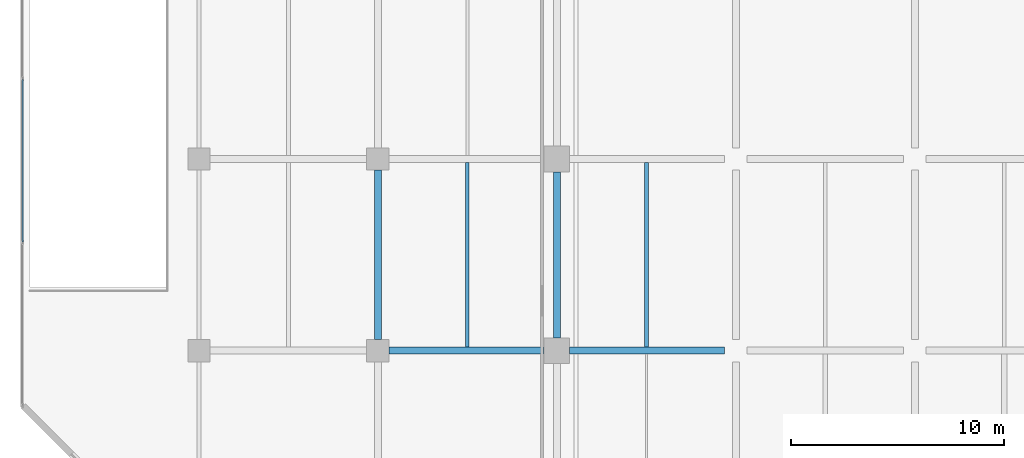
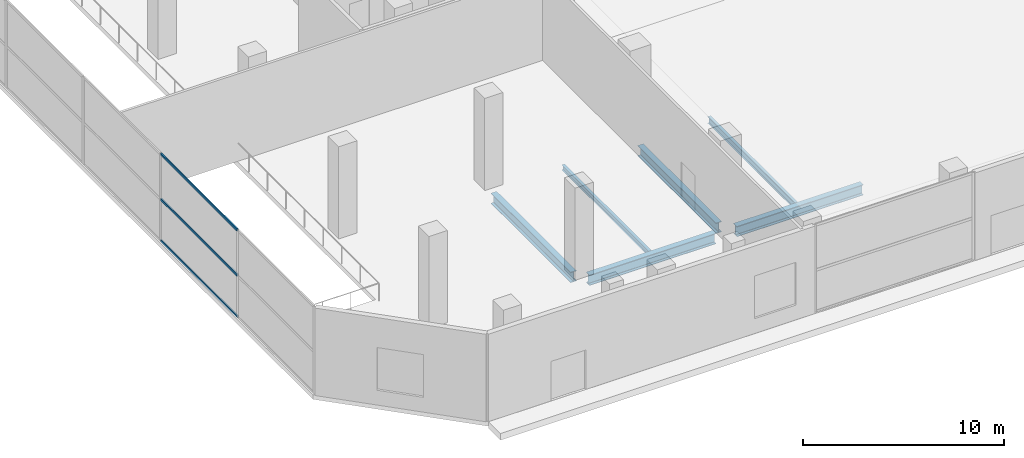
# One storey, part 9 of 35: 6 beams, 3 members, 1 element without a shape of its own.
"""IFC4 building model written with IfcOpenShell, lengths in metres."""

from ifc_helpers import new_model, si_unit, direction, frame, origin, origin_2d, place, context, subcontext, project, spatial, hollow_rectangle, i_section, extrude, material, layer, layer_set, material_profile, profile_set, type_object, element, aggregate, save


model = new_model("IFC4")

# Units and contexts
model_context = context("Model", 3, precision=1e-05, world=origin(), true_north=direction((0.0, 1.0)))
body_context = subcontext(model_context, "Body", "Model", "MODEL_VIEW")
ifc_project = project(units=[si_unit("LENGTHUNIT", "METRE"), si_unit("AREAUNIT", "SQUARE_METRE"), si_unit("VOLUMEUNIT", "CUBIC_METRE"), si_unit("PLANEANGLEUNIT", "RADIAN"), si_unit("MASSUNIT", "GRAM", prefix="KILO")], contexts=[model_context])

# Site, building, storey
site_placement = place(None, origin())
site = spatial("IfcSite", under=ifc_project, at=site_placement, CompositionType="ELEMENT")
building_placement = place(site_placement, origin())
building = spatial("IfcBuilding", under=site, at=building_placement, Name="Maruvema Waterfront Hotel and Observation Tower", CompositionType="ELEMENT")
storey_placement = place(building_placement, origin())
storey = spatial("IfcBuildingStorey", under=building, at=storey_placement, Name="L00", CompositionType="ELEMENT", Elevation=0.0)

# Curtain wall, members
ifc_material_1 = material(Name="Anodised bronze aluminium and solar-control low-E IGU", Category="aluminium")
ifc_layer = layer(ifc_material_1, 0.159912109375, Name="Podium Waterfront Storefront Curtain Wall System CW-01")
ifc_layer_set = layer_set([ifc_layer], Name="Anodised bronze aluminium and solar-control low-E IGU")
curtain_wall_type = type_object("IfcCurtainWallType", Name="Podium Waterfront Storefront Curtain Wall System CW-01", PredefinedType="USERDEFINED", material=ifc_layer_set)
curtain_wall_placement = place(storey_placement, origin())
curtain_wall = element("IfcCurtainWall", 1, at=curtain_wall_placement, inside=storey, type_object=curtain_wall_type, Name="L00 Curtain Wall CW-L00-W", ObjectType="UNITISED CURTAIN WALL", PredefinedType="USERDEFINED")
ifc_material_2 = material(Name="Anodised architectural bronze aluminium", Category="aluminium")
ifc_material_profile_1 = material_profile(ifc_material_2, hollow_rectangle(XDim=0.070068359375, YDim=0.14990234375, WallThickness=0.00390625, at=origin_2d()), Name="ALU-T70x150")
ifc_profile_set_1 = profile_set([ifc_material_profile_1], Name="Anodised architectural bronze aluminium")
member_type = type_object("IfcMemberType", Name="Curtain Wall Horizontal Transom ALU-T70x150", PredefinedType="USERDEFINED", material=ifc_profile_set_1)
member_1_placement = place(storey_placement, frame((0.1201171875, 21.736572265625, 0.030029296875), z_axis=(0.0, -1.0, 0.0), x_axis=(1.0, 0.0, 0.0)))
member_1 = element("IfcMember", 2, at=member_1_placement, type_object=member_type, Name="CW-01 transom 5.1", ObjectType="TRANSOM", PredefinedType="USERDEFINED", context=body_context, shape_type="SweptSolid", body=[
    extrude(hollow_rectangle(XDim=0.070068359375, YDim=0.14990234375, WallThickness=0.00390625, at=origin_2d()), origin(), (0.0, 0.0, 1.0), 7.623291015625),
])
member_2_placement = place(storey_placement, frame((0.1201171875, 21.736572265625, 2.550048828125), z_axis=(0.0, -1.0, 0.0), x_axis=(1.0, 0.0, 0.0)))
member_2 = element("IfcMember", 3, at=member_2_placement, type_object=member_type, Name="CW-01 transom 5.2", ObjectType="TRANSOM", PredefinedType="USERDEFINED", context=body_context, shape_type="SweptSolid", body=[
    extrude(hollow_rectangle(XDim=0.070068359375, YDim=0.14990234375, WallThickness=0.00390625, at=origin_2d()), origin(), (0.0, 0.0, 1.0), 7.623291015625),
])
member_3_placement = place(storey_placement, frame((0.1201171875, 21.736572265625, 5.2900390625), z_axis=(0.0, -1.0, 0.0), x_axis=(1.0, 0.0, 0.0)))
member_3 = element("IfcMember", 4, at=member_3_placement, type_object=member_type, Name="CW-01 transom 5.3", ObjectType="TRANSOM", PredefinedType="USERDEFINED", context=body_context, shape_type="SweptSolid", body=[
    extrude(hollow_rectangle(XDim=0.070068359375, YDim=0.14990234375, WallThickness=0.00390625, at=origin_2d()), origin(), (0.0, 0.0, 1.0), 7.623291015625),
])
aggregate(curtain_wall, [member_1, member_2, member_3])

# Beams
ifc_material_3 = material(Name="Steel ASTM A572 Grade 50", Category="steel")
ifc_material_profile_2 = material_profile(ifc_material_3, i_section(OverallWidth=0.3291015625, OverallDepth=0.635009765625, WebThickness=0.017822265625, FlangeThickness=0.031005859375, FilletRadius=0.01806640625, at=origin_2d()), Name="W610x241.0")
ifc_profile_set_2 = profile_set([ifc_material_profile_2], Name="Steel ASTM A572 Grade 50")
beam_type_1 = type_object("IfcBeamType", Name="Primary Floor Girder W610x241.0", PredefinedType="BEAM", material=ifc_profile_set_2)
beam_1_placement = place(storey_placement, frame((17.324951171875, 9.0, -0.597412109375), z_axis=(1.0, 0.0, 0.0), x_axis=(0.0, 1.0, 0.0)))
element("IfcBeam", 5, at=beam_1_placement, inside=storey, type_object=beam_type_1, Name="L00 Floor Girder EW-11", PredefinedType="BEAM", context=body_context, shape_type="SweptSolid", body=[
    extrude(i_section(OverallWidth=0.3291015625, OverallDepth=0.635009765625, WebThickness=0.017822265625, FlangeThickness=0.031005859375, FilletRadius=0.01806640625, at=origin_2d()), origin(), (0.0, 0.0, 1.0), 7.275146484375),
])
beam_2_placement = place(storey_placement, frame((25.800048828125, 9.0, -0.597412109375), z_axis=(1.0, 0.0, 0.0), x_axis=(0.0, 1.0, 0.0)))
element("IfcBeam", 6, at=beam_2_placement, inside=storey, type_object=beam_type_1, Name="L00 Floor Girder EW-12", PredefinedType="BEAM", context=body_context, shape_type="SweptSolid", body=[
    extrude(i_section(OverallWidth=0.3291015625, OverallDepth=0.635009765625, WebThickness=0.017822265625, FlangeThickness=0.031005859375, FilletRadius=0.01806640625, at=origin_2d()), origin(), (0.0, 0.0, 1.0), 7.27490234375),
])
beam_3_placement = place(storey_placement, frame((16.800048828125, 9.52490234375, -0.597412109375), z_axis=(0.0, 1.0, 0.0), x_axis=(-1.0, 0.0, 0.0)))
element("IfcBeam", 7, at=beam_3_placement, inside=storey, type_object=beam_type_1, Name="L00 Floor Girder NS-08", PredefinedType="BEAM", context=body_context, shape_type="SweptSolid", body=[
    extrude(i_section(OverallWidth=0.3291015625, OverallDepth=0.635009765625, WebThickness=0.017822265625, FlangeThickness=0.031005859375, FilletRadius=0.01806640625, at=origin_2d()), origin(), (0.0, 0.0, 1.0), 7.9501953125),
])
beam_4_placement = place(storey_placement, frame((25.199951171875, 9.60009765625, -0.597412109375), z_axis=(0.0, 1.0, 0.0), x_axis=(-1.0, 0.0, 0.0)))
element("IfcBeam", 8, at=beam_4_placement, inside=storey, type_object=beam_type_1, Name="L00 Floor Girder NS-14", PredefinedType="BEAM", context=body_context, shape_type="SweptSolid", body=[
    extrude(i_section(OverallWidth=0.3291015625, OverallDepth=0.635009765625, WebThickness=0.017822265625, FlangeThickness=0.031005859375, FilletRadius=0.01806640625, at=origin_2d()), origin(), (0.0, 0.0, 1.0), 7.7998046875),
])
ifc_material_4 = material(Name="Steel ASTM A572 Grade 50", Category="steel")
ifc_material_profile_3 = material_profile(ifc_material_4, i_section(OverallWidth=0.1650390625, OverallDepth=0.31005859375, WebThickness=0.005859375, FlangeThickness=0.009765625, FilletRadius=0.012939453125, at=origin_2d()), Name="W310x38.7")
ifc_profile_set_3 = profile_set([ifc_material_profile_3], Name="Steel ASTM A572 Grade 50")
beam_type_2 = type_object("IfcBeamType", Name="Secondary Floor Joist W310x38.7", PredefinedType="JOIST", material=ifc_profile_set_3)
beam_5_placement = place(storey_placement, frame((21.0, 9.16455078125, -0.43505859375), z_axis=(0.0, 1.0, 0.0), x_axis=(-1.0, 0.0, 0.0)))
element("IfcBeam", 9, at=beam_5_placement, inside=storey, type_object=beam_type_2, Name="L00 Secondary Floor Joist JS-05", PredefinedType="JOIST", context=body_context, shape_type="SweptSolid", body=[
    extrude(i_section(OverallWidth=0.1650390625, OverallDepth=0.31005859375, WebThickness=0.005859375, FlangeThickness=0.009765625, FilletRadius=0.012939453125, at=origin_2d()), origin(), (0.0, 0.0, 1.0), 8.6708984375),
])
ifc_material_5 = material(Name="Steel ASTM A572 Grade 50", Category="steel")
ifc_material_profile_4 = material_profile(ifc_material_5, i_section(OverallWidth=0.177001953125, OverallDepth=0.403076171875, WebThickness=0.007568359375, FlangeThickness=0.010986328125, FilletRadius=0.014892578125, at=origin_2d()), Name="W410x53.0")
ifc_profile_set_4 = profile_set([ifc_material_profile_4], Name="Steel ASTM A572 Grade 50")
beam_type_3 = type_object("IfcBeamType", Name="Secondary Floor Joist W410x53.0", PredefinedType="JOIST", material=ifc_profile_set_4)
beam_6_placement = place(storey_placement, frame((29.39990234375, 9.16455078125, -0.4814453125), z_axis=(0.0, 1.0, 0.0), x_axis=(-1.0, 0.0, 0.0)))
element("IfcBeam", 10, at=beam_6_placement, inside=storey, type_object=beam_type_3, Name="L00 Secondary Floor Joist JS-10", PredefinedType="JOIST", context=body_context, shape_type="SweptSolid", body=[
    extrude(i_section(OverallWidth=0.177001953125, OverallDepth=0.403076171875, WebThickness=0.007568359375, FlangeThickness=0.010986328125, FilletRadius=0.014892578125, at=origin_2d()), origin(), (0.0, 0.0, 1.0), 8.6708984375),
])

save(model, "model.ifc")
